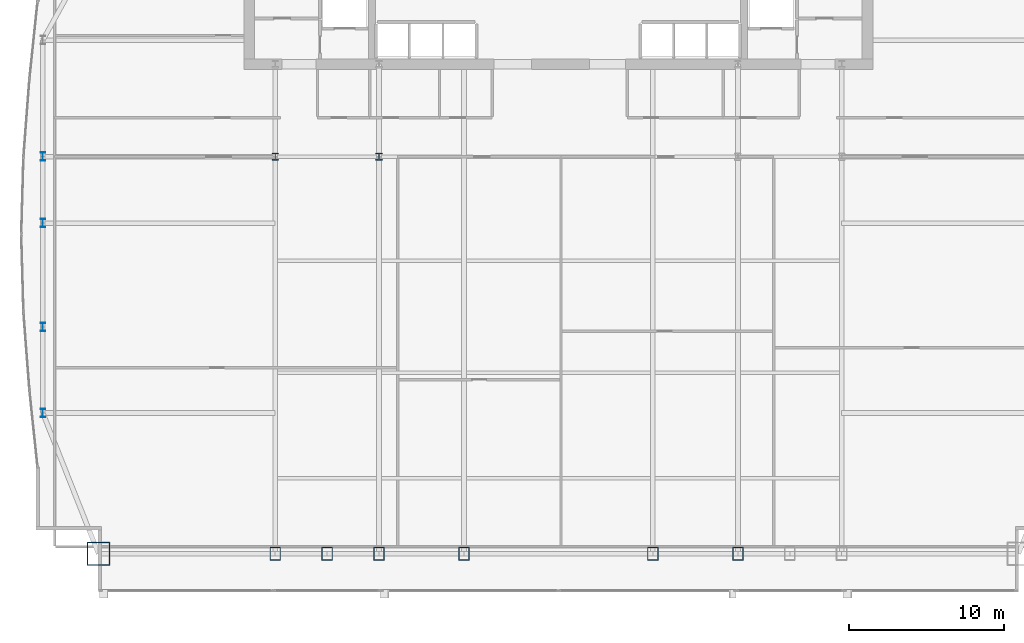
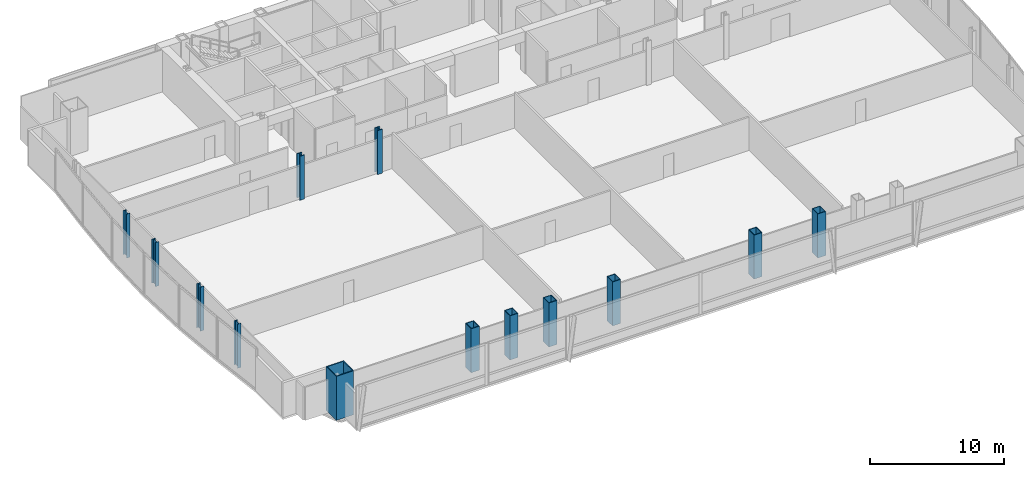
# One storey, part 1 of 30: 13 columns.
"""IFC4 building model written with IfcOpenShell, lengths in metres."""

from ifc_helpers import new_model, si_unit, direction, frame, origin, origin_2d, place, context, subcontext, project, spatial, hollow_rectangle, i_section, extrude, material, material_profile, profile_set, type_object, element, save


model = new_model("IFC4")

# Units and contexts
model_context = context("Model", 3, precision=1e-05, world=origin(), true_north=direction((0.0, 1.0)))
body_context = subcontext(model_context, "Body", "Model", "MODEL_VIEW")
ifc_project = project(units=[si_unit("LENGTHUNIT", "METRE"), si_unit("AREAUNIT", "SQUARE_METRE"), si_unit("VOLUMEUNIT", "CUBIC_METRE"), si_unit("PLANEANGLEUNIT", "RADIAN"), si_unit("MASSUNIT", "GRAM", prefix="KILO")], contexts=[model_context])

# Site, building, storey
site_placement = place(None, origin())
site = spatial("IfcSite", under=ifc_project, at=site_placement, CompositionType="ELEMENT")
building_placement = place(site_placement, origin())
building = spatial("IfcBuilding", under=site, at=building_placement, Name="Khoronbel Lancet Exchange", CompositionType="ELEMENT")
storey_placement = place(building_placement, frame((0.0, 0.0, 98.60009765625)))
storey = spatial("IfcBuildingStorey", under=building, at=storey_placement, Name="L23", CompositionType="ELEMENT", Elevation=98.60009765625)

# Columns
ifc_material_1 = material(Name="Steel S460", Category="steel")
ifc_material_profile_1 = material_profile(ifc_material_1, hollow_rectangle(XDim=0.699951171875, YDim=0.85009765625, WallThickness=0.050048828125, at=origin_2d()), Name="BOX 850x700x50")
ifc_profile_set_1 = profile_set([ifc_material_profile_1], Name="Steel S460")
column_type_1 = type_object("IfcColumnType", Name="COL-EC2", PredefinedType="COLUMN", material=ifc_profile_set_1)
for number, where, z_axis, x_axis, name in (
    (1, (18.22509765625, 10.14990234375, 0.0), (0.0, 0.0, 1.0), (1.0, 0.0, 0.0), "Structural column SC-W1 L23"),
    (2, (21.5625, 10.14990234375, 0.0), (0.0, 0.0, 1.0), (1.0, 0.0, 0.0), "Structural column SC-WM L23"),
    (3, (24.89990234375, 10.14990234375, 0.0), (0.0, 0.0, 1.0), (1.0, 0.0, 0.0), "Structural column SC-W2 L23"),
    (4, (30.375, 10.14990234375, 0.0), (0.0, 0.0, 1.0), (1.0, 0.0, 0.0), "Structural column SC-C1 L23"),
    (5, (42.52490234375, 10.14990234375, 0.0), (0.0, 0.0, 1.0), (1.0, 0.0, 0.0), "Structural column SC-C2 L23"),
    (6, (48.0, 10.14990234375, 0.0), (0.0, 0.0, 1.0), (1.0, 0.0, 0.0), "Structural column SC-E1 L23"),
):
    element("IfcColumn", number, at=place(storey_placement, frame(where, z_axis=z_axis, x_axis=x_axis)), inside=storey, type_object=column_type_1, Name=name, PredefinedType="COLUMN", context=body_context, shape_type="SweptSolid", body=[
        extrude(hollow_rectangle(XDim=0.699951171875, YDim=0.85009765625, WallThickness=0.050048828125, at=origin_2d()), origin(), (0.0, 0.0, 1.0), 4.0),
    ])
ifc_material_profile_2 = material_profile(ifc_material_1, i_section(OverallWidth=0.424072265625, OverallDepth=0.47412109375, WebThickness=0.047607421875, FlangeThickness=0.076904296875, at=origin_2d()), Name="HD 400x634")
ifc_profile_set_2 = profile_set([ifc_material_profile_2], Name="Steel S460")
column_type_2 = type_object("IfcColumnType", Name="COL-IC1", PredefinedType="COLUMN", material=ifc_profile_set_2)
for number, where, z_axis, x_axis, name in (
    (7, (18.22509765625, 35.699951171875, 0.0), (0.0, 0.0, 1.0), (1.0, 0.0, 0.0), "Spine gravity column TC1 L23"),
    (8, (24.89990234375, 35.699951171875, 0.0), (0.0, 0.0, 1.0), (1.0, 0.0, 0.0), "Spine gravity column TC2 L23"),
):
    element("IfcColumn", number, at=place(storey_placement, frame(where, z_axis=z_axis, x_axis=x_axis)), inside=storey, type_object=column_type_2, Name=name, PredefinedType="COLUMN", context=body_context, shape_type="SweptSolid", body=[
        extrude(i_section(OverallWidth=0.424072265625, OverallDepth=0.47412109375, WebThickness=0.047607421875, FlangeThickness=0.076904296875, at=origin_2d()), origin(), (0.0, 0.0, 1.0), 4.0),
    ])
ifc_material_2 = material(Name="Steel S355", Category="steel")
ifc_material_profile_3 = material_profile(ifc_material_2, i_section(OverallWidth=0.300048828125, OverallDepth=0.550048828125, WebThickness=0.014892578125, FlangeThickness=0.029052734375, at=origin_2d()), Name="HEB 550")
ifc_profile_set_3 = profile_set([ifc_material_profile_3], Name="Steel S355")
column_type_3 = type_object("IfcColumnType", Name="COL-LC1", PredefinedType="COLUMN", material=ifc_profile_set_3)
for number, where, z_axis, x_axis, name in (
    (9, (3.27001953125, 19.199951171875, 0.0), (0.0, 0.0, 1.0), (1.0, 0.0, 0.0), "Structural column WC-1 L23"),
    (10, (3.27001953125, 24.75, 0.0), (0.0, 0.0, 1.0), (1.0, 0.0, 0.0), "Structural column WC-2 L23"),
    (11, (3.27001953125, 31.425048828125, 0.0), (0.0, 0.0, 1.0), (1.0, 0.0, 0.0), "Structural column WC-M L23"),
    (12, (3.27001953125, 35.699951171875, 0.0), (0.0, 0.0, 1.0), (1.0, 0.0, 0.0), "Structural column WC-3 L23"),
):
    element("IfcColumn", number, at=place(storey_placement, frame(where, z_axis=z_axis, x_axis=x_axis)), inside=storey, type_object=column_type_3, Name=name, PredefinedType="COLUMN", context=body_context, shape_type="SweptSolid", body=[
        extrude(i_section(OverallWidth=0.300048828125, OverallDepth=0.550048828125, WebThickness=0.014892578125, FlangeThickness=0.029052734375, at=origin_2d()), origin(), (0.0, 0.0, 1.0), 4.0),
    ])
ifc_material_profile_4 = material_profile(ifc_material_1, hollow_rectangle(XDim=1.5, YDim=1.5, WallThickness=0.070068359375, at=origin_2d()), Name="BOX 1500x1500x70")
ifc_profile_set_4 = profile_set([ifc_material_profile_4], Name="Steel S460")
column_type_4 = type_object("IfcColumnType", Name="COL-MC3", PredefinedType="COLUMN", material=ifc_profile_set_4)
column_placement = place(storey_placement, frame((6.85009765625, 10.14990234375, 0.0), z_axis=(0.0, 0.0, 1.0), x_axis=(1.0, 0.0, 0.0)))
element("IfcColumn", 13, at=column_placement, inside=storey, type_object=column_type_4, Name="Structural column MC-SW L23", PredefinedType="COLUMN", context=body_context, shape_type="SweptSolid", body=[
    extrude(hollow_rectangle(XDim=1.5, YDim=1.5, WallThickness=0.070068359375, at=origin_2d()), origin(), (0.0, 0.0, 1.0), 4.0),
])

save(model, "model.ifc")
